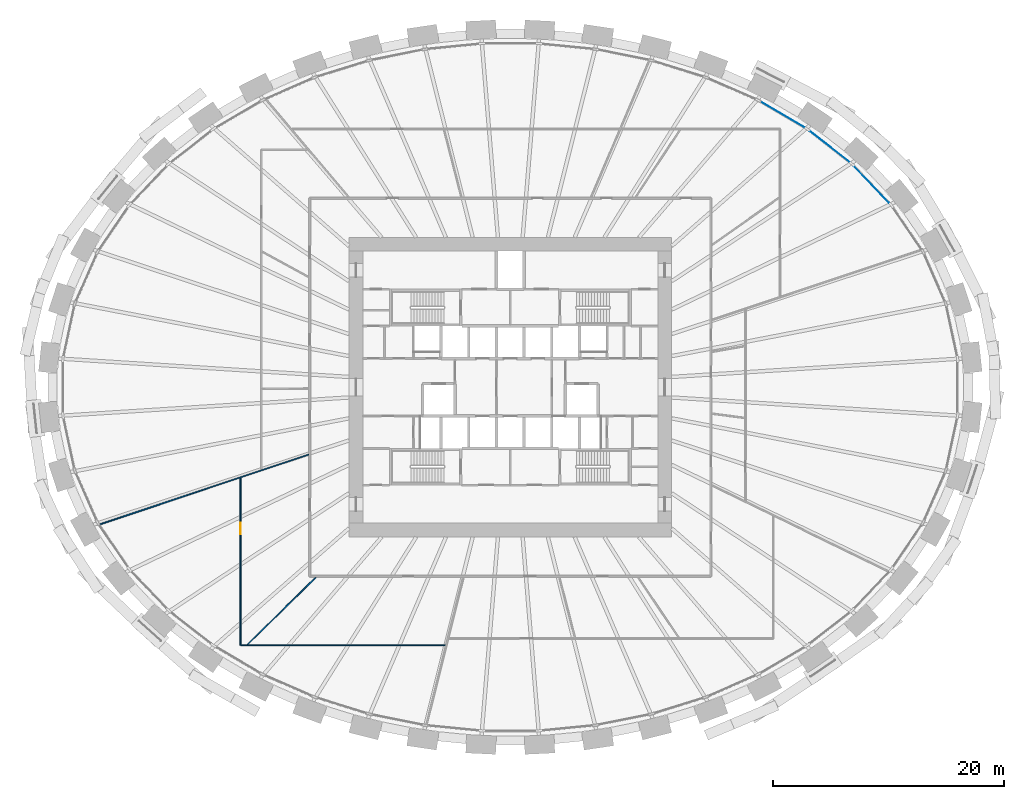
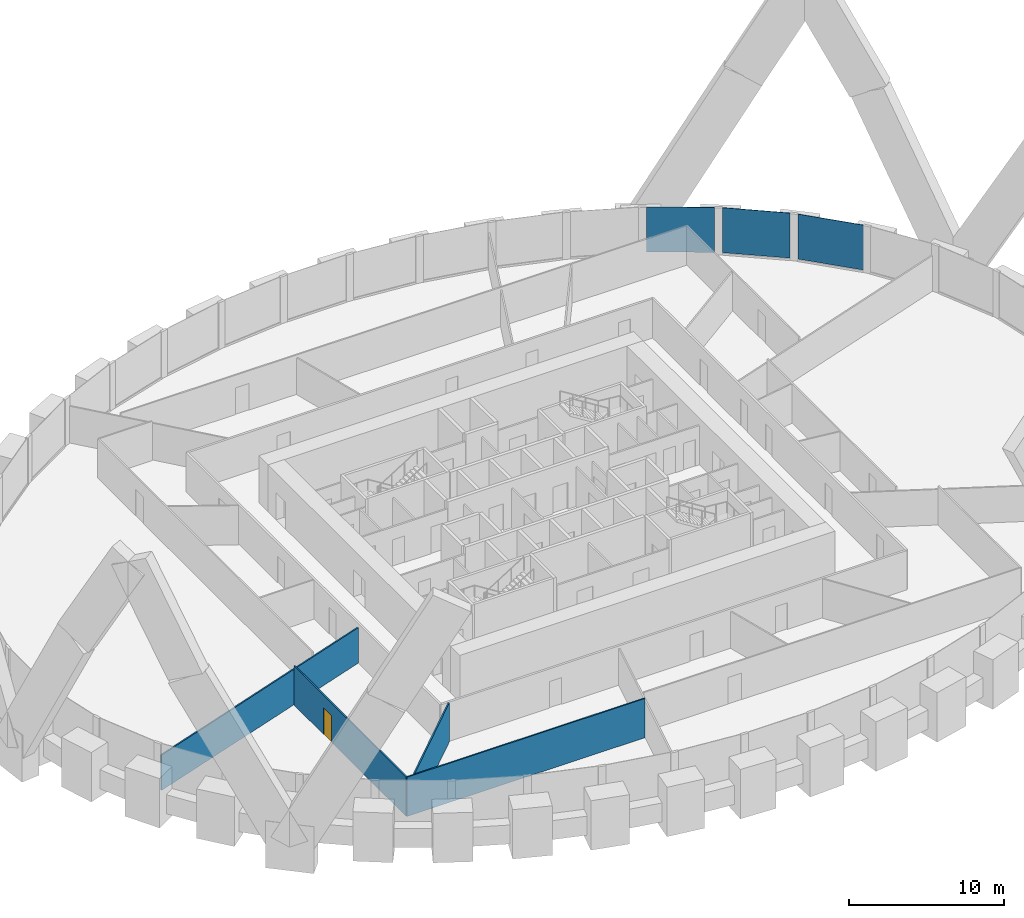
# One storey, part 6 of 12: 4 walls, 3 plates, 1 door, 1 opening, 1 element without a shape of its own.
"""IFC4 building model written with IfcOpenShell, lengths in metres."""

import ifcopenshell
import ifcopenshell.guid

model = None  # the IFC model being written
_history = None  # IfcOwnerHistory: only IFC2X3 demands one
_inside = {}  # id of a spatial element -> (the spatial element, [elements in it])
_under = {}  # id of a project, library or spatial element -> (it, [spatial elements below it])
_declared = {}  # id of a project -> (the project, [libraries it declares])
_typed = {}  # id of a type object -> (the type object, [elements of that type])
_made_of = {}  # id of a material, layer set ... -> (it, [elements and type objects made of it])


def new_model(schema):
    """Start an empty IFC model of exactly this schema.

    Asked for "IFC4X3", IfcOpenShell would pick the latest addendum, in which some entities
    have other attributes; the version numbers below select the first issue.
    IFC2X3 requires an IfcOwnerHistory on every rooted entity: one is made here for all.
    """
    global model, _history
    if schema == "IFC4X3":
        model = ifcopenshell.file(schema_version=(4, 3, 0, 0))
    else:
        model = ifcopenshell.file(schema=schema)
    _inside.clear()
    _under.clear()
    _declared.clear()
    _typed.clear()
    _made_of.clear()
    _history = None
    if model.schema == "IFC2X3":
        org = make("IfcOrganization", Name="unknown")
        user = make(
            "IfcPersonAndOrganization",
            ThePerson=make("IfcPerson", FamilyName="unknown"),
            TheOrganization=org,
        )
        app = make(
            "IfcApplication",
            ApplicationDeveloper=org,
            Version="unknown",
            ApplicationFullName="unknown",
            ApplicationIdentifier="unknown",
        )
        _history = make(
            "IfcOwnerHistory",
            OwningUser=user,
            OwningApplication=app,
            ChangeAction="ADDED",
            CreationDate=0,
        )
    return model


def make(cls, **values):
    """One entity of the class cls with the attributes given. An attribute that is None is left unset."""
    return model.create_entity(
        cls, **{name: value for name, value in values.items() if value is not None}
    )


def rooted(cls, **values):
    """An entity with a GlobalId (a new one), such as an element, a storey or a relation."""
    return make(cls, GlobalId=ifcopenshell.guid.new(), OwnerHistory=_history, **values)


def si_unit(unit_type, name, prefix=None):
    """IfcSIUnit, for example si_unit("LENGTHUNIT", "METRE", prefix="MILLI")."""
    return make("IfcSIUnit", UnitType=unit_type, Prefix=prefix, Name=name)


def assignment(units):
    """IfcUnitAssignment: the units of a project."""
    return None if units is None else make("IfcUnitAssignment", Units=units)


def point(xyz):
    """IfcCartesianPoint."""
    return None if xyz is None else make("IfcCartesianPoint", Coordinates=xyz)


def direction(xyz):
    """IfcDirection."""
    return None if xyz is None else make("IfcDirection", DirectionRatios=xyz)


def frame(location, z_axis=None, x_axis=None):
    """IfcAxis2Placement3D, a coordinate frame: its origin and axes. An axis left out is left unset."""
    return make(
        "IfcAxis2Placement3D",
        Location=point(location),
        Axis=direction(z_axis),
        RefDirection=direction(x_axis),
    )


def frame_2d(location, x_axis=None):
    """IfcAxis2Placement2D, a coordinate frame in the plane: its origin and x axis."""
    return make(
        "IfcAxis2Placement2D", Location=point(location), RefDirection=direction(x_axis)
    )


def origin():
    """The frame at (0, 0, 0) with its axes left unset."""
    return frame((0.0, 0.0, 0.0))


def origin_2d():
    """The frame at (0, 0) in the plane with its x axis left unset."""
    return frame_2d((0.0, 0.0))


def place(relative_to, where):
    """IfcLocalPlacement: puts the frame where relative to a parent placement (None: the world)."""
    return make(
        "IfcLocalPlacement", PlacementRelTo=relative_to, RelativePlacement=where
    )


def context(
    kind, dimensions, precision=None, world=None, true_north=None, identifier=None
):
    """IfcGeometricRepresentationContext, for example the 3D "Model" context."""
    return make(
        "IfcGeometricRepresentationContext",
        ContextIdentifier=identifier,
        ContextType=kind,
        CoordinateSpaceDimension=dimensions,
        Precision=precision,
        WorldCoordinateSystem=world,
        TrueNorth=true_north,
    )


def subcontext(parent, identifier, kind, view, scale=None):
    """IfcGeometricRepresentationSubContext, for example "Body" below "Model"."""
    return make(
        "IfcGeometricRepresentationSubContext",
        ContextIdentifier=identifier,
        ContextType=kind,
        ParentContext=parent,
        TargetScale=scale,
        TargetView=view,
    )


def project(units=None, contexts=None):
    """IfcProject with its units and contexts."""
    return rooted(
        "IfcProject",
        Name="project",
        RepresentationContexts=contexts,
        UnitsInContext=assignment(units),
    )


def spatial(cls, under=None, at=None, **own):
    """A site, building, storey or space (cls), placed at a placement, below another one or the project."""
    s = rooted(cls, ObjectPlacement=at, **own)
    if under is not None:
        _under.setdefault(under.id(), (under, []))[1].append(s)
    return s


def profile(cls, at=None, kind="AREA", **sizes):
    """A parametric profile (cls). Its sizes go by their IFC names, for example OverallWidth=200.0."""
    return make(cls, ProfileType=kind, Position=at, **sizes)


def rectangle(**sizes):
    """IfcRectangleProfileDef."""
    return profile("IfcRectangleProfileDef", **sizes)


def extrude(swept, where, along, depth):
    """IfcExtrudedAreaSolid: the profile swept, set in the frame where, extruded along a direction by depth."""
    return make(
        "IfcExtrudedAreaSolid",
        SweptArea=swept,
        Position=where,
        ExtrudedDirection=direction(along),
        Depth=depth,
    )


def shape(context_of_items, identifier, shape_type, items):
    """IfcShapeRepresentation: the items that make up one representation, for example the "Body"."""
    return make(
        "IfcShapeRepresentation",
        ContextOfItems=context_of_items,
        RepresentationIdentifier=identifier,
        RepresentationType=shape_type,
        Items=items,
    )


def source(mapping_origin, context_of_items, identifier, shape_type, items):
    """IfcRepresentationMap: a shape defined once, which mapped items show again and again."""
    return make(
        "IfcRepresentationMap",
        MappingOrigin=mapping_origin,
        MappedRepresentation=shape(context_of_items, identifier, shape_type, items),
    )


def transform(
    local_origin,
    x_axis=None,
    y_axis=None,
    z_axis=None,
    scale=None,
    scale2=None,
    scale3=None,
    uniform=True,
):
    """IfcCartesianTransformationOperator3D, or its non-uniform kind. x_axis, y_axis, z_axis: its Axis1, 2, 3."""
    if uniform:
        return make(
            "IfcCartesianTransformationOperator3D",
            Axis1=direction(x_axis),
            Axis2=direction(y_axis),
            LocalOrigin=point(local_origin),
            Scale=scale,
            Axis3=direction(z_axis),
        )
    return make(
        "IfcCartesianTransformationOperator3DnonUniform",
        Axis1=direction(x_axis),
        Axis2=direction(y_axis),
        LocalOrigin=point(local_origin),
        Scale=scale,
        Axis3=direction(z_axis),
        Scale2=scale2,
        Scale3=scale3,
    )


def mapped(mapping_source, mapping_target):
    """IfcMappedItem: shows the shape of a source again, moved by a transform."""
    return make(
        "IfcMappedItem", MappingSource=mapping_source, MappingTarget=mapping_target
    )


def material(Name=None, Category=None):
    """IfcMaterial."""
    return make("IfcMaterial", Name=Name, Category=Category)


def layer(
    of_material, thickness, ventilated=None, Name=None, Category=None, Priority=None
):
    """IfcMaterialLayer: one layer of a wall or slab, of a material (None: an air gap)."""
    return make(
        "IfcMaterialLayer",
        Material=of_material,
        LayerThickness=thickness,
        IsVentilated=ventilated,
        Name=Name,
        Category=Category,
        Priority=Priority,
    )


def layer_set(layers, Name=None):
    """IfcMaterialLayerSet."""
    return make("IfcMaterialLayerSet", MaterialLayers=layers, LayerSetName=Name)


def made_of(thing, what):
    """Note that an element or type object is made of a material, layer set ...; save() writes the relation."""
    if what is not None:
        _made_of.setdefault(what.id(), (what, []))[1].append(thing)
    return thing


def type_object(cls, material=None, **own):
    """A type object (cls), such as IfcWallType, which elements share."""
    return made_of(rooted(cls, **own), material)


def element(
    cls,
    number,
    at=None,
    inside=None,
    cuts=None,
    type_object=None,
    material=None,
    context=None,
    identifier="Body",
    shape_type=None,
    held_by="IfcProductDefinitionShape",
    body=None,
    shapes=None,
    **own,
):
    """One element of the class cls, such as IfcWall. Its Tag is "e" and its number.

    at: its placement. inside: the storey or other place that contains it. cuts: it is an
    opening in that element (IfcRelVoidsElement). A single representation is given by context,
    identifier, shape_type and body (its items); several are given by shapes. held_by: the class
    of the entity that holds the representations. save() writes the other relations.
    """
    e = rooted(cls, Tag="e%d" % number, ObjectPlacement=at, **own)
    if body is not None:
        shapes = [shape(context, identifier, shape_type, body)]
    if shapes is not None:
        e.Representation = make(held_by, Representations=shapes)
    if inside is not None:
        _inside.setdefault(inside.id(), (inside, []))[1].append(e)
    if cuts is not None:
        rooted(
            "IfcRelVoidsElement", RelatingBuildingElement=cuts, RelatedOpeningElement=e
        )
    if type_object is not None:
        _typed.setdefault(type_object.id(), (type_object, []))[1].append(e)
    return made_of(e, material)


def fill(opening, filler):
    """IfcRelFillsElement: the door or window that sits in an opening."""
    return rooted(
        "IfcRelFillsElement",
        RelatingOpeningElement=opening,
        RelatedBuildingElement=filler,
    )


def aggregate(whole, parts):
    """IfcRelAggregates: a whole, such as a stair, and the parts it consists of."""
    return rooted("IfcRelAggregates", RelatingObject=whole, RelatedObjects=parts)


def save(model, path):
    """Write the relations noted so far, then the file.

    IfcRelAggregates (storeys below a building ...), IfcRelContainedInSpatialStructure (elements
    in a storey), IfcRelDefinesByType, IfcRelAssociatesMaterial and IfcRelDeclares: one each for
    every whole, place, type object, material and project.
    """
    for whole, parts in _under.values():
        aggregate(whole, parts)
    for where, things in _inside.values():
        rooted(
            "IfcRelContainedInSpatialStructure",
            RelatedElements=things,
            RelatingStructure=where,
        )
    for kind, things in _typed.values():
        rooted("IfcRelDefinesByType", RelatedObjects=things, RelatingType=kind)
    for what, things in _made_of.values():
        rooted("IfcRelAssociatesMaterial", RelatedObjects=things, RelatingMaterial=what)
    for by, libraries in _declared.values():
        rooted("IfcRelDeclares", RelatingContext=by, RelatedDefinitions=libraries)
    model.write(path)


model = new_model("IFC4")

# Units and contexts
model_context = context("Model", 3, precision=1e-05, world=origin(), true_north=direction((0.0, 1.0)))
body_context = subcontext(model_context, "Body", "Model", "MODEL_VIEW")
ifc_project = project(units=[si_unit("LENGTHUNIT", "METRE"), si_unit("AREAUNIT", "SQUARE_METRE"), si_unit("VOLUMEUNIT", "CUBIC_METRE"), si_unit("PLANEANGLEUNIT", "RADIAN"), si_unit("MASSUNIT", "GRAM", prefix="KILO")], contexts=[model_context])

# Site, building, storey
site_placement = place(None, origin())
site = spatial("IfcSite", under=ifc_project, at=site_placement, CompositionType="ELEMENT")
building_placement = place(site_placement, origin())
building = spatial("IfcBuilding", under=site, at=building_placement, Name="Embergate Tower", CompositionType="ELEMENT")
storey_placement = place(building_placement, frame((0.0, 0.0, 45.800048828125)))
storey = spatial("IfcBuildingStorey", under=building, at=storey_placement, Name="L07", CompositionType="ELEMENT", Elevation=45.800048828125)

# Curtain wall, plates
ifc_material_1 = material(Name="Aluminium and glass", Category="aluminium")
curtain_wall_type = type_object("IfcCurtainWallType", Name="Recessed office glazing", PredefinedType="NOTDEFINED", material=ifc_material_1)
curtain_wall_placement = place(storey_placement, origin())
curtain_wall = element("IfcCurtainWall", 1, at=curtain_wall_placement, inside=storey, type_object=curtain_wall_type, Name="Recessed office glazing ring", ObjectType="RECESSED OFFICE GLAZING", PredefinedType="USERDEFINED")
ifc_material_2 = material(Name="Triple glazing, low-emissivity coating", Category="glass")
ifc_layer_1 = layer(ifc_material_2, 0.035888671875)
ifc_layer_set_1 = layer_set([ifc_layer_1], Name="Triple glazing, low-emissivity coating")
plate_type = type_object("IfcPlateType", Name="Office glazing unit", PredefinedType="CURTAIN_PANEL", material=ifc_layer_set_1)
shared_shape_1 = source(origin(), body_context, "Body", "SweptSolid", [
    extrude(rectangle(XDim=4.404296875, YDim=0.035888671875, at=origin_2d()), origin(), (0.0, 0.0, 1.0), 3.550048828125),
])
plate_1_placement = place(storey_placement, frame((31.3466796875, 17.57861328125, 0.14990234375), z_axis=(0.0, 0.0, 1.0), x_axis=(-0.690135047526, 0.723680603703, 0.0)))
plate_1 = element("IfcPlate", 2, at=plate_1_placement, type_object=plate_type, Name="CW panel 4.1", PredefinedType="CURTAIN_PANEL", context=body_context, shape_type="MappedRepresentation", body=[
    mapped(shared_shape_1, transform((0.0, 0.0, 0.0))),
])
shared_shape_2 = source(origin(), body_context, "Body", "SweptSolid", [
    extrude(rectangle(XDim=4.411865234375, YDim=0.035888671875, at=origin_2d()), origin(), (0.0, 0.0, 1.0), 3.550048828125),
])
plate_2_placement = place(storey_placement, frame((27.703369140625, 20.877685546875, 0.14990234375), z_axis=(0.0, 0.0, 1.0), x_axis=(-0.788320119254, 0.615265300158, 0.0)))
plate_2 = element("IfcPlate", 3, at=plate_2_placement, type_object=plate_type, Name="CW panel 5.1", PredefinedType="CURTAIN_PANEL", context=body_context, shape_type="MappedRepresentation", body=[
    mapped(shared_shape_2, transform((0.0, 0.0, 0.0))),
])
shared_shape_3 = source(origin(), body_context, "Body", "SweptSolid", [
    extrude(rectangle(XDim=4.41796875, YDim=0.035888671875, at=origin_2d()), origin(), (0.0, 0.0, 1.0), 3.550048828125),
])
plate_3_placement = place(storey_placement, frame((23.631103515625, 23.646240234375, 0.14990234375), z_axis=(0.0, 0.0, 1.0), x_axis=(-0.862053167811, 0.50681785275, 0.0)))
plate_3 = element("IfcPlate", 4, at=plate_3_placement, type_object=plate_type, Name="CW panel 6.1", PredefinedType="CURTAIN_PANEL", context=body_context, shape_type="MappedRepresentation", body=[
    mapped(shared_shape_3, transform((0.0, 0.0, 0.0))),
])
aggregate(curtain_wall, [plate_1, plate_2, plate_3])

# Walls
ifc_material_3 = material(Name="Partition dry-lined 100")
ifc_layer_2 = layer(ifc_material_3, 0.10009765625)
ifc_layer_set_2 = layer_set([ifc_layer_2], Name="Partition dry-lined 100")
wall_type = type_object("IfcWallType", Name="Partition dry-lined 100", PredefinedType="PARTITIONING", material=ifc_layer_set_2)
shared_shape_4 = source(origin(), body_context, "Body", "SweptSolid", [
    extrude(rectangle(XDim=8.296875, YDim=0.10009765625, at=frame_2d((4.1484375, 0.0))), origin(), (0.0, 0.0, 1.0), 3.099853515625),
])
wall_1_placement = place(storey_placement, frame((-16.8701171875, -16.510986328125, 0.0), z_axis=(0.0, 0.0, 1.0), x_axis=(-0.714716022059, -0.699414760934, 0.0)))
element("IfcWall", 5, at=wall_1_placement, inside=storey, type_object=wall_type, Name="IP-1 wall", PredefinedType="PARTITIONING", context=body_context, shape_type="MappedRepresentation", body=[
    mapped(shared_shape_4, transform((0.0, 0.0, 0.0))),
])
shared_shape_5 = source(origin(), body_context, "Body", "SweptSolid", [
    extrude(rectangle(XDim=17.77197265625, YDim=0.10009765625, at=frame_2d((8.885986328125, 0.0))), origin(), (0.0, 0.0, 1.0), 3.099853515625),
])
wall_2_placement = place(storey_placement, frame((-5.6279296875, -22.39990234375, 0.0), z_axis=(0.0, 0.0, 1.0), x_axis=(-1.0, 0.0, 0.0)))
element("IfcWall", 6, at=wall_2_placement, inside=storey, type_object=wall_type, Name="IP-1 wall", PredefinedType="PARTITIONING", context=body_context, shape_type="MappedRepresentation", body=[
    mapped(shared_shape_5, transform((0.0, 0.0, 0.0))),
])

# Wall, opening, door
shared_shape_6 = source(origin(), body_context, "Body", "SweptSolid", [
    extrude(rectangle(XDim=14.512939453125, YDim=0.10009765625, at=frame_2d((7.25634765625, 0.0))), origin(), (0.0, 0.0, 1.0), 3.099853515625),
])
wall_3_placement = place(storey_placement, frame((-23.39990234375, -22.39990234375, 0.0), z_axis=(0.0, 0.0, 1.0), x_axis=(0.0, 1.0, 0.0)))
wall_3 = element("IfcWall", 7, at=wall_3_placement, inside=storey, type_object=wall_type, Name="IP-1 wall", PredefinedType="PARTITIONING", context=body_context, shape_type="MappedRepresentation", body=[
    mapped(shared_shape_6, transform((0.0, 0.0, 0.0))),
])
shared_shape_7 = source(origin(), body_context, "Body", "SweptSolid", [
    extrude(rectangle(XDim=1.0, YDim=2.10009765625, at=frame_2d((0.5, 1.050048828125))), frame((0.0, 0.06005859375, 0.0), z_axis=(0.0, -1.0, 0.0), x_axis=(1.0, 0.0, 0.0)), (0.0, 0.0, 1.0), 0.1201171875),
])
opening_placement = place(wall_3_placement, frame((9.64697265625, 0.0, 0.0)))
opening = element("IfcOpeningElement", 8, at=opening_placement, cuts=wall_3, Name="Opening ID-2", PredefinedType="OPENING", context=body_context, shape_type="MappedRepresentation", body=[
    mapped(shared_shape_7, transform((0.0, 0.0, 0.0))),
])
ifc_material_4 = material(Name="Interior door 1000")
door_type = type_object("IfcDoorType", Name="Interior door 1000", OperationType="SINGLE_SWING_LEFT", PredefinedType="DOOR", material=ifc_material_4)
shared_shape_8 = source(origin(), body_context, "Body", "SweptSolid", [
    extrude(rectangle(XDim=1.0, YDim=2.10009765625, at=frame_2d((0.5, 1.050048828125))), frame((0.0, 0.02490234375, 0.0), z_axis=(0.0, -1.0, 0.0), x_axis=(1.0, 0.0, 0.0)), (0.0, 0.0, 1.0), 0.050048828125),
])
door_placement = place(opening_placement, origin())
door = element("IfcDoor", 9, at=door_placement, inside=storey, type_object=door_type, Name="ID-2 door", OperationType="SINGLE_SWING_RIGHT", OverallHeight=2.10009765625, OverallWidth=1.0, PredefinedType="DOOR", context=body_context, shape_type="MappedRepresentation", body=[
    mapped(shared_shape_8, transform((0.0, 0.0, 0.0))),
])
fill(opening, door)

# Wall
shared_shape_9 = source(origin(), body_context, "Body", "SweptSolid", [
    extrude(rectangle(XDim=19.182861328125, YDim=0.10009765625, at=frame_2d((9.59130859375, 0.0))), origin(), (0.0, 0.0, 1.0), 2.800048828125),
])
wall_4_placement = place(storey_placement, frame((-17.490966796875, -5.843017578125, 0.0), z_axis=(0.0, 0.0, 1.0), x_axis=(-0.948457788594, -0.316903492022, 0.0)))
element("IfcWall", 10, at=wall_4_placement, inside=storey, type_object=wall_type, Name="IP-1 wall", PredefinedType="PARTITIONING", context=body_context, shape_type="MappedRepresentation", body=[
    mapped(shared_shape_9, transform((0.0, 0.0, 0.0))),
])

save(model, "model.ifc")
